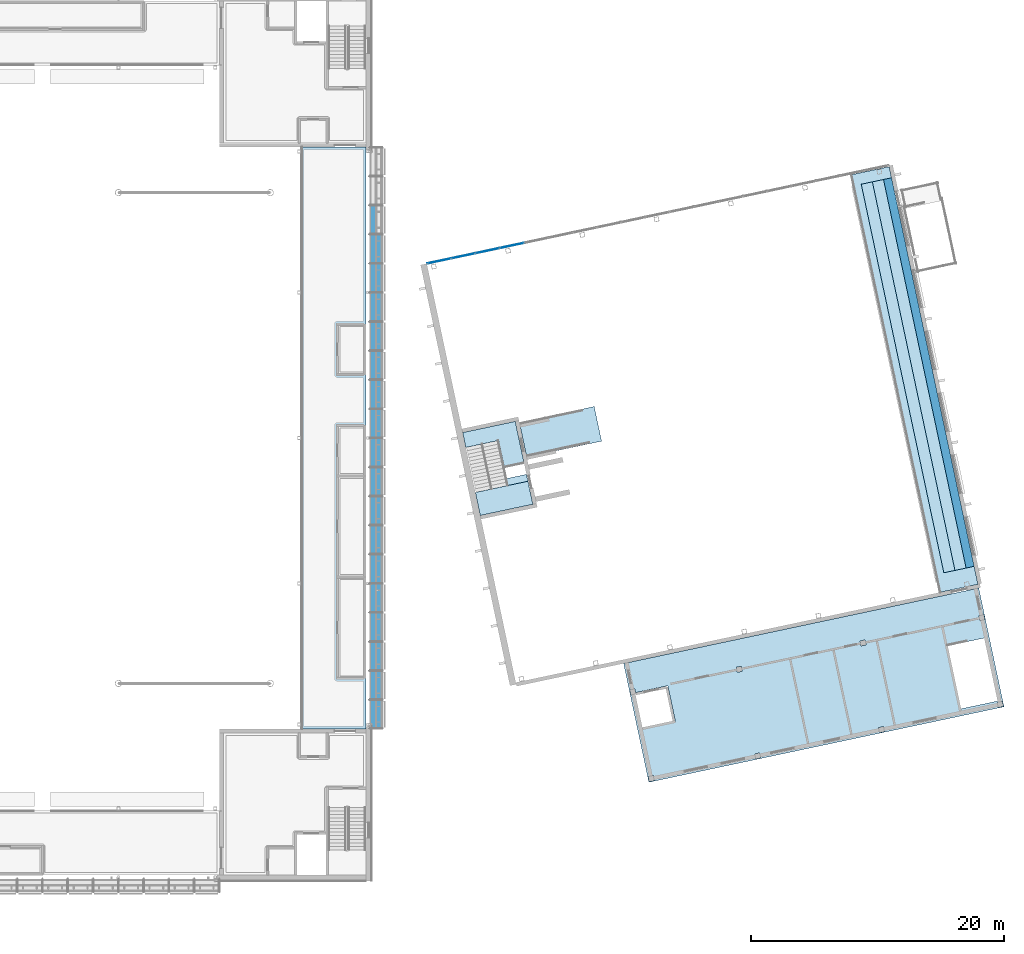
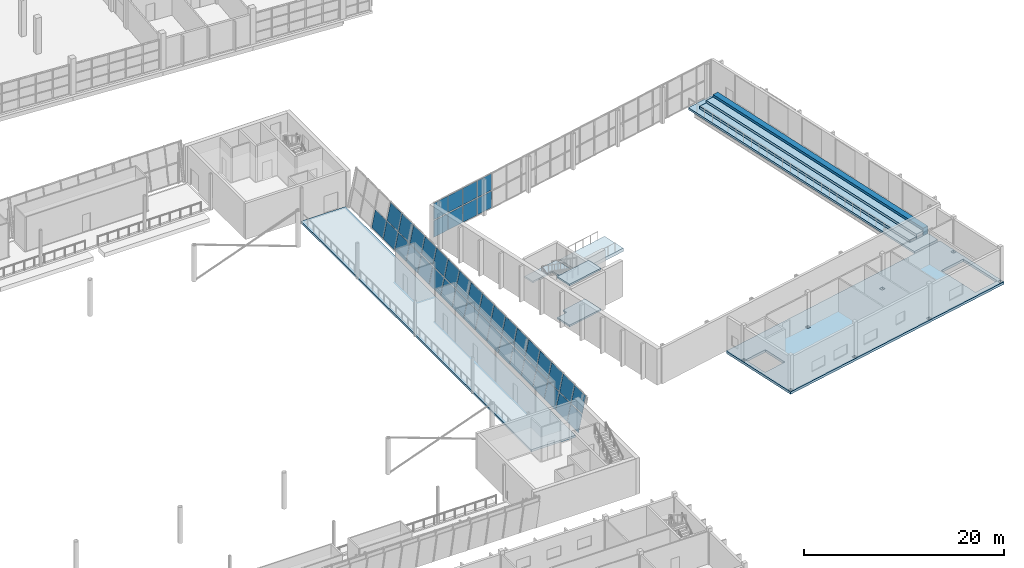
# One storey, part 55 of 115: 43 plates, 10 slabs, 4 elements without a shape of their own.
"""IFC4 building model written with IfcOpenShell, lengths in metres."""

from ifc_helpers import new_model, si_unit, direction, frame, origin, origin_2d, place, context, subcontext, project, spatial, polyline, rectangle, outline, extrude, material, layer, layer_set, type_object, element, aggregate, save


model = new_model("IFC4")

# Units and contexts
model_context = context("Model", 3, precision=1e-05, world=origin(), true_north=direction((0.0, 1.0)))
body_context = subcontext(model_context, "Body", "Model", "MODEL_VIEW")
ifc_project = project(units=[si_unit("LENGTHUNIT", "METRE"), si_unit("AREAUNIT", "SQUARE_METRE"), si_unit("VOLUMEUNIT", "CUBIC_METRE"), si_unit("PLANEANGLEUNIT", "RADIAN"), si_unit("MASSUNIT", "GRAM", prefix="KILO")], contexts=[model_context])

# Site, building, storey
site_placement = place(None, origin())
site = spatial("IfcSite", under=ifc_project, at=site_placement, CompositionType="ELEMENT")
building_placement = place(site_placement, origin())
building = spatial("IfcBuilding", under=site, at=building_placement, Name="Windward Yard Aquatics Centre", CompositionType="ELEMENT")
storey_placement = place(building_placement, frame((0.0, 0.0, 5.0)))
storey = spatial("IfcBuildingStorey", under=building, at=storey_placement, Name="L01", CompositionType="ELEMENT", Elevation=5.0)

# Curtain wall, plates
ifc_material_1 = material(Name="Aluminium and glass", Category="aluminium")
ifc_layer_1 = layer(ifc_material_1, 0.159912109375)
ifc_layer_set_1 = layer_set([ifc_layer_1], Name="D curtain wall 160")
curtain_wall_type_1 = type_object("IfcCurtainWallType", Name="D curtain wall 160", PredefinedType="NOTDEFINED", material=ifc_layer_set_1)
curtain_wall_1_placement = place(storey_placement, origin())
curtain_wall_1 = element("IfcCurtainWall", 1, at=curtain_wall_1_placement, inside=storey, type_object=curtain_wall_type_1, Name="North glazing L01", PredefinedType="NOTDEFINED")
ifc_material_2 = material(Name="Laminated low-iron glass", Category="glass")
ifc_layer_2 = layer(ifc_material_2, 0.028076171875)
ifc_layer_set_2 = layer_set([ifc_layer_2], Name="D curtain wall glass panel 28")
plate_type_1 = type_object("IfcPlateType", Name="D curtain wall glass panel 28", PredefinedType="CURTAIN_PANEL", material=ifc_layer_set_2)
plate_1_placement = place(storey_placement, frame((157.345947265625, 74.989501953125, 0.119873046875), z_axis=(0.0, 0.0, 1.0), x_axis=(0.978147594815, 0.207911718662, 0.0)))
plate_1 = element("IfcPlate", 2, at=plate_1_placement, type_object=plate_type_1, Name="DCW-L01 panel 1.1", PredefinedType="CURTAIN_PANEL", context=body_context, shape_type="SweptSolid", body=[
    extrude(rectangle(XDim=1.875732421875, YDim=0.028076171875, at=origin_2d()), origin(), (0.0, 0.0, 1.0), 2.02001953125),
])
plate_2_placement = place(storey_placement, frame((157.345947265625, 74.989501953125, 2.260009765625), z_axis=(0.0, 0.0, 1.0), x_axis=(0.978147594815, 0.207911718662, 0.0)))
plate_2 = element("IfcPlate", 3, at=plate_2_placement, type_object=plate_type_1, Name="DCW-L01 panel 1.2", PredefinedType="CURTAIN_PANEL", context=body_context, shape_type="SweptSolid", body=[
    extrude(rectangle(XDim=1.875732421875, YDim=0.028076171875, at=origin_2d()), origin(), (0.0, 0.0, 1.0), 2.02001953125),
])
plate_3_placement = place(storey_placement, frame((159.254150390625, 75.395263671875, 0.119873046875), z_axis=(0.0, 0.0, 1.0), x_axis=(0.978147594815, 0.207911718662, 0.0)))
plate_3 = element("IfcPlate", 4, at=plate_3_placement, type_object=plate_type_1, Name="DCW-L01 panel 2.1", PredefinedType="CURTAIN_PANEL", context=body_context, shape_type="SweptSolid", body=[
    extrude(rectangle(XDim=1.90576171875, YDim=0.028076171875, at=origin_2d()), origin(), (0.0, 0.0, 1.0), 2.02001953125),
])
plate_4_placement = place(storey_placement, frame((159.254150390625, 75.395263671875, 2.260009765625), z_axis=(0.0, 0.0, 1.0), x_axis=(0.978147594815, 0.207911718662, 0.0)))
plate_4 = element("IfcPlate", 5, at=plate_4_placement, type_object=plate_type_1, Name="DCW-L01 panel 2.2", PredefinedType="CURTAIN_PANEL", context=body_context, shape_type="SweptSolid", body=[
    extrude(rectangle(XDim=1.90576171875, YDim=0.028076171875, at=origin_2d()), origin(), (0.0, 0.0, 1.0), 2.02001953125),
])
plate_5_placement = place(storey_placement, frame((161.1767578125, 75.803955078125, 0.119873046875), z_axis=(0.0, 0.0, 1.0), x_axis=(0.978147594815, 0.207911718662, 0.0)))
plate_5 = element("IfcPlate", 6, at=plate_5_placement, type_object=plate_type_1, Name="DCW-L01 panel 3.1", PredefinedType="CURTAIN_PANEL", context=body_context, shape_type="SweptSolid", body=[
    extrude(rectangle(XDim=1.90576171875, YDim=0.028076171875, at=origin_2d()), origin(), (0.0, 0.0, 1.0), 2.02001953125),
])
plate_6_placement = place(storey_placement, frame((161.1767578125, 75.803955078125, 2.260009765625), z_axis=(0.0, 0.0, 1.0), x_axis=(0.978147594815, 0.207911718662, 0.0)))
plate_6 = element("IfcPlate", 7, at=plate_6_placement, type_object=plate_type_1, Name="DCW-L01 panel 3.2", PredefinedType="CURTAIN_PANEL", context=body_context, shape_type="SweptSolid", body=[
    extrude(rectangle(XDim=1.90576171875, YDim=0.028076171875, at=origin_2d()), origin(), (0.0, 0.0, 1.0), 2.02001953125),
])
plate_7_placement = place(storey_placement, frame((163.099609375, 76.212646484375, 0.119873046875), z_axis=(0.0, 0.0, 1.0), x_axis=(0.978147594815, 0.207911718662, 0.0)))
plate_7 = element("IfcPlate", 8, at=plate_7_placement, type_object=plate_type_1, Name="DCW-L01 panel 4.1", PredefinedType="CURTAIN_PANEL", context=body_context, shape_type="SweptSolid", body=[
    extrude(rectangle(XDim=1.90576171875, YDim=0.028076171875, at=origin_2d()), origin(), (0.0, 0.0, 1.0), 2.02001953125),
])
plate_8_placement = place(storey_placement, frame((163.099609375, 76.212646484375, 2.260009765625), z_axis=(0.0, 0.0, 1.0), x_axis=(0.978147594815, 0.207911718662, 0.0)))
plate_8 = element("IfcPlate", 9, at=plate_8_placement, type_object=plate_type_1, Name="DCW-L01 panel 4.2", PredefinedType="CURTAIN_PANEL", context=body_context, shape_type="SweptSolid", body=[
    extrude(rectangle(XDim=1.90576171875, YDim=0.028076171875, at=origin_2d()), origin(), (0.0, 0.0, 1.0), 2.02001953125),
])
aggregate(curtain_wall_1, [plate_1, plate_2, plate_3, plate_4, plate_5, plate_6, plate_7, plate_8])

# Slabs
ifc_material_3 = material(Name="Concrete C35/45", Category="concrete")
ifc_layer_3 = layer(ifc_material_3, 0.39990234375)
ifc_layer_set_3 = layer_set([ifc_layer_3], Name="D diving platform slab 400")
slab_type_1 = type_object("IfcSlabType", Name="D diving platform slab 400", PredefinedType="FLOOR", material=ifc_layer_set_3)
slab_1_placement = place(storey_placement, frame((0.0, 0.0, 2.10009765625)))
element("IfcSlab", 10, at=slab_1_placement, inside=storey, type_object=slab_type_1, Name="D.S.PF3", PredefinedType="FLOOR", context=body_context, shape_type="SweptSolid", body=[
    extrude(outline(polyline([(163.689453125, 62.229736328125), (164.271728515625, 59.490966796875), (170.189453125, 60.748779296875), (169.607421875, 63.487548828125), (163.689453125, 62.229736328125)])), origin(), (0.0, 0.0, 1.0), 0.39990234375),
])
ifc_layer_4 = layer(ifc_material_3, 0.300048828125)
ifc_layer_set_4 = layer_set([ifc_layer_4], Name="D floor slab 300")
slab_type_2 = type_object("IfcSlabType", Name="D floor slab 300", PredefinedType="FLOOR", material=ifc_layer_set_4)
slab_2_placement = place(storey_placement, frame((0.0, 0.0, -0.300048828125)))
element("IfcSlab", 11, at=slab_2_placement, inside=storey, type_object=slab_type_2, Name="D.S.L01", PredefinedType="FLOOR", context=body_context, shape_type="SweptSolid", body=[
    extrude(outline(polyline([(171.930908203125, 43.1767578125), (173.927001953125, 33.78662109375), (201.999755859375, 39.753662109375), (200.00390625, 49.143798828125), (171.930908203125, 43.1767578125)]), holes=[polyline([(173.882080078125, 34.2373046875), (174.2734375, 34.3203125), (174.356689453125, 33.92919921875), (173.96533203125, 33.845947265625), (173.882080078125, 34.2373046875)]), polyline([(182.294189453125, 36.025146484375), (182.685546875, 36.1083984375), (182.768798828125, 35.717041015625), (182.37744140625, 35.634033203125), (182.294189453125, 36.025146484375)]), polyline([(192.07568359375, 38.104248046875), (192.467041015625, 38.1875), (192.55029296875, 37.796142578125), (192.158935546875, 37.713134765625), (192.07568359375, 38.104248046875)]), polyline([(201.466064453125, 40.100341796875), (201.857421875, 40.18359375), (201.9404296875, 39.792236328125), (201.54931640625, 39.708984375), (201.466064453125, 40.100341796875)]), polyline([(197.55029296875, 44.573974609375), (200.435791015625, 45.187255859375), (201.494140625, 40.20849609375), (198.6083984375, 39.59521484375), (197.55029296875, 44.573974609375)]), polyline([(172.4267578125, 41.084228515625), (172.818115234375, 41.16748046875), (172.880615234375, 40.873779296875), (175.423583984375, 41.41455078125), (176.026611328125, 38.577880859375), (173.4345703125, 38.02685546875), (172.852294921875, 40.765625), (172.510009765625, 40.693115234375), (172.4267578125, 41.084228515625)]), polyline([(180.8388671875, 42.872314453125), (181.230224609375, 42.955322265625), (181.313232421875, 42.564208984375), (180.922119140625, 42.48095703125), (180.8388671875, 42.872314453125)]), polyline([(190.620361328125, 44.951416015625), (191.01171875, 45.034423828125), (191.0947265625, 44.643310546875), (190.70361328125, 44.56005859375), (190.620361328125, 44.951416015625)]), polyline([(200.010498046875, 46.947265625), (200.40185546875, 47.030517578125), (200.485107421875, 46.63916015625), (200.09375, 46.55615234375), (200.010498046875, 46.947265625)])]), origin(), (0.0, 0.0, 1.0), 0.300048828125),
])
ifc_layer_5 = layer(ifc_material_3, 0.25)
ifc_layer_set_5 = layer_set([ifc_layer_5], Name="D gallery slab 250")
slab_type_3 = type_object("IfcSlabType", Name="D gallery slab 250", PredefinedType="FLOOR", material=ifc_layer_set_5)
slab_3_placement = place(storey_placement, frame((0.0, 0.0, -0.25)))
element("IfcSlab", 12, at=slab_3_placement, inside=storey, type_object=slab_type_3, Name="D.S.GAL", PredefinedType="FLOOR", context=body_context, shape_type="SweptSolid", body=[
    extrude(outline(polyline([(189.84326171875, 81.794921875), (196.860107421875, 48.782470703125), (199.94140625, 49.437255859375), (192.92431640625, 82.44970703125), (189.84326171875, 81.794921875)])), origin(), (0.0, 0.0, 1.0), 0.25),
])
ifc_layer_6 = layer(ifc_material_3, 0.300048828125)
ifc_layer_set_6 = layer_set([ifc_layer_6], Name="D seating tier 300")
slab_type_4 = type_object("IfcSlabType", Name="D seating tier 300", PredefinedType="USERDEFINED", material=ifc_layer_set_6)
slab_4_placement = place(storey_placement, origin())
element("IfcSlab", 13, at=slab_4_placement, inside=storey, type_object=slab_type_4, Name="Gallery seating tier 1", ObjectType="SEATING TIER", PredefinedType="USERDEFINED", context=body_context, shape_type="SweptSolid", body=[
    extrude(outline(polyline([(190.715087890625, 81.06005859375), (197.243408203125, 50.34619140625), (198.123779296875, 50.533447265625), (191.595458984375, 81.247314453125), (190.715087890625, 81.06005859375)])), origin(), (0.0, 0.0, 1.0), 0.300048828125),
])
ifc_layer_7 = layer(ifc_material_3, 0.60009765625)
ifc_layer_set_7 = layer_set([ifc_layer_7], Name="D seating tier 600")
slab_type_5 = type_object("IfcSlabType", Name="D seating tier 600", PredefinedType="USERDEFINED", material=ifc_layer_set_7)
slab_5_placement = place(storey_placement, origin())
element("IfcSlab", 14, at=slab_5_placement, inside=storey, type_object=slab_type_5, Name="Gallery seating tier 2", ObjectType="SEATING TIER", PredefinedType="USERDEFINED", context=body_context, shape_type="SweptSolid", body=[
    extrude(outline(polyline([(191.595458984375, 81.247314453125), (198.123779296875, 50.533447265625), (199.004150390625, 50.720458984375), (192.4755859375, 81.434326171875), (191.595458984375, 81.247314453125)])), origin(), (0.0, 0.0, 1.0), 0.60009765625),
])
ifc_layer_8 = layer(ifc_material_3, 0.89990234375)
ifc_layer_set_8 = layer_set([ifc_layer_8], Name="D seating tier 900")
slab_type_6 = type_object("IfcSlabType", Name="D seating tier 900", PredefinedType="USERDEFINED", material=ifc_layer_set_8)
slab_6_placement = place(storey_placement, origin())
element("IfcSlab", 15, at=slab_6_placement, inside=storey, type_object=slab_type_6, Name="Gallery seating tier 3", ObjectType="SEATING TIER", PredefinedType="USERDEFINED", context=body_context, shape_type="SweptSolid", body=[
    extrude(outline(polyline([(192.4755859375, 81.434326171875), (199.004150390625, 50.720458984375), (199.639892578125, 50.855712890625), (193.111572265625, 81.569580078125), (192.4755859375, 81.434326171875)])), origin(), (0.0, 0.0, 1.0), 0.89990234375),
])

# Stair, slab
ifc_material_4 = material(Name="Stainless steel 1.4529", Category="steel")
stair_type = type_object("IfcStairType", Name="D tower stair pan", PredefinedType="STRAIGHT_RUN_STAIR", material=ifc_material_4)
stair_1_placement = place(storey_placement, origin())
stair_1 = element("IfcStair", 16, at=stair_1_placement, inside=storey, type_object=stair_type, Name="Tower stair flight 3", PredefinedType="STRAIGHT_RUN_STAIR")
ifc_layer_9 = layer(ifc_material_3, 0.199951171875)
ifc_layer_set_9 = layer_set([ifc_layer_9], Name="D tower stair landing 200")
slab_type_7 = type_object("IfcSlabType", Name="D tower stair landing 200", PredefinedType="LANDING", material=ifc_layer_set_9)
placement = place(building_placement, origin())
slab_7_placement = place(placement, frame((0.0, 0.0, 4.800048828125)))
slab_7 = element("IfcSlab", 17, at=slab_7_placement, type_object=slab_type_7, Name="DTS landing 1", PredefinedType="LANDING", context=body_context, shape_type="SweptSolid", body=[
    extrude(outline(polyline([(160.214111328125, 56.6962890625), (160.600830078125, 54.876708984375), (164.7578125, 55.760498046875), (164.25439453125, 58.12939453125), (161.368896484375, 57.51611328125), (161.485595703125, 56.966552734375), (160.214111328125, 56.6962890625)])), origin(), (0.0, 0.0, 1.0), 0.199951171875),
])
aggregate(stair_1, [slab_7])

stair_2_placement = place(storey_placement, origin())
stair_2 = element("IfcStair", 18, at=stair_2_placement, inside=storey, type_object=stair_type, Name="Tower stair flight 4", PredefinedType="STRAIGHT_RUN_STAIR")
slab_8_placement = place(storey_placement, frame((0.0, 0.0, 2.300048828125)))
slab_8 = element("IfcSlab", 19, at=slab_8_placement, type_object=slab_type_7, Name="DTS landing 1", PredefinedType="LANDING", context=body_context, shape_type="SweptSolid", body=[
    extrude(outline(polyline([(159.207763671875, 61.430419921875), (159.457763671875, 60.254638671875), (162.0498046875, 60.8056640625), (162.496337890625, 58.70458984375), (164.061279296875, 59.037353515625), (163.364990234375, 62.314208984375), (159.207763671875, 61.430419921875)])), origin(), (0.0, 0.0, 1.0), 0.199951171875),
])
aggregate(stair_2, [slab_8])

# Slabs
slab_9_placement = place(storey_placement, frame((0.0, 0.0, 4.800048828125)))
element("IfcSlab", 20, at=slab_9_placement, inside=storey, type_object=slab_type_7, Name="Tower stair top landing", PredefinedType="LANDING", context=body_context, shape_type="SweptSolid", body=[
    extrude(outline(polyline([(160.213623046875, 56.6982421875), (160.600830078125, 54.876708984375), (164.7578125, 55.760498046875), (164.370849609375, 57.581787109375), (160.213623046875, 56.6982421875)])), origin(), (0.0, 0.0, 1.0), 0.199951171875),
])
ifc_layer_10 = layer(ifc_material_3, 0.25)
ifc_layer_set_10 = layer_set([ifc_layer_10], Name="H concourse slab 250 C35/45")
slab_type_8 = type_object("IfcSlabType", Name="H concourse slab 250 C35/45", PredefinedType="FLOOR", material=ifc_layer_set_10)
slab_10_placement = place(storey_placement, frame((0.0, 0.0, -0.25)))
element("IfcSlab", 21, at=slab_10_placement, inside=storey, type_object=slab_type_8, Name="H.CS.E", PredefinedType="FLOOR", context=body_context, shape_type="SweptSolid", body=[
    extrude(outline(polyline([(146.4404296875, 38.0), (151.550048828125, 38.0), (151.550048828125, 84.0), (146.4404296875, 84.0), (146.4404296875, 38.0)])), origin(), (0.0, 0.0, 1.0), 0.25),
])

# Curtain wall, plates
ifc_material_5 = material(Name="Glass and aluminium curtain wall", Category="aluminium")
ifc_layer_11 = layer(ifc_material_5, 0.179931640625)
ifc_layer_set_11 = layer_set([ifc_layer_11], Name="H curtain wall tier 1 double glazed 8+16+8")
curtain_wall_type_2 = type_object("IfcCurtainWallType", Name="H curtain wall tier 1 double glazed 8+16+8", PredefinedType="NOTDEFINED", material=ifc_layer_set_11)
curtain_wall_2_placement = place(storey_placement, origin())
curtain_wall_2 = element("IfcCurtainWall", 22, at=curtain_wall_2_placement, inside=storey, type_object=curtain_wall_type_2, Name="Tier 1 glazing E L01", PredefinedType="NOTDEFINED")
ifc_material_6 = material(Name="Low-iron glass", Category="glass")
ifc_layer_12 = layer(ifc_material_6, 0.008, Name="Outer pane")
ifc_material_7 = material(Name="Argon-filled cavity")
ifc_layer_13 = layer(ifc_material_7, 0.016, Name="Cavity")
ifc_layer_14 = layer(ifc_material_6, 0.008, Name="Inner pane")
ifc_layer_set_12 = layer_set([ifc_layer_12, ifc_layer_13, ifc_layer_14], Name="H tier 1 glass low-e double glazed unit 32")
plate_type_2 = type_object("IfcPlateType", Name="H tier 1 glass low-e double glazed unit 32", PredefinedType="CURTAIN_PANEL", material=ifc_layer_set_12)
plate_9_placement = place(storey_placement, frame((151.913818359375, 38.06494140625, 0.107666015625), z_axis=(-0.979937049238, 0.0, 0.19930724907), x_axis=(0.0, 1.0, 0.0)))
plate_9 = element("IfcPlate", 23, at=plate_9_placement, type_object=plate_type_2, Name="G1EA panel 1.1", PredefinedType="CURTAIN_PANEL", context=body_context, shape_type="SweptSolid", body=[
    extrude(outline(polyline([(0.0, 0.0), (2.202637, 0.0), (2.202637, -2.088533), (0.0, -2.088533), (0.0, 0.0)])), origin(), (0.0, 0.0, -1.0), 0.031982421875),
])
plate_10_placement = place(storey_placement, frame((152.35009765625, 38.06494140625, 2.252197265625), z_axis=(-0.979920842931, 0.0, 0.199386914289), x_axis=(0.0, 1.0, 0.0)))
plate_10 = element("IfcPlate", 24, at=plate_10_placement, type_object=plate_type_2, Name="G1EA panel 1.2", PredefinedType="CURTAIN_PANEL", context=body_context, shape_type="SweptSolid", body=[
    extrude(outline(polyline([(0.0, 0.0), (2.202637, 0.0), (2.202637, -2.095045), (0.0, -2.095045), (0.0, 0.0)])), origin(), (0.0, 0.0, -1.0), 0.031982421875),
])
plate_11_placement = place(storey_placement, frame((151.913818359375, 40.33251953125, 0.107666015625), z_axis=(-0.979937049238, 0.0, 0.19930724907), x_axis=(0.0, 1.0, 0.0)))
plate_11 = element("IfcPlate", 25, at=plate_11_placement, type_object=plate_type_2, Name="G1EA panel 2.1", PredefinedType="CURTAIN_PANEL", context=body_context, shape_type="SweptSolid", body=[
    extrude(outline(polyline([(0.0, 0.0), (2.234863, 0.0), (2.234863, -2.088533), (0.0, -2.088533), (0.0, 0.0)])), origin(), (0.0, 0.0, -1.0), 0.031982421875),
])
plate_12_placement = place(storey_placement, frame((152.35009765625, 40.33251953125, 2.252197265625), z_axis=(-0.979920842931, 0.0, 0.199386914289), x_axis=(0.0, 1.0, 0.0)))
plate_12 = element("IfcPlate", 26, at=plate_12_placement, type_object=plate_type_2, Name="G1EA panel 2.2", PredefinedType="CURTAIN_PANEL", context=body_context, shape_type="SweptSolid", body=[
    extrude(outline(polyline([(0.0, 0.0), (2.234863, 0.0), (2.234863, -2.095045), (0.0, -2.095045), (0.0, 0.0)])), origin(), (0.0, 0.0, -1.0), 0.031982421875),
])
plate_13_placement = place(storey_placement, frame((151.913818359375, 42.632568359375, 0.107666015625), z_axis=(-0.979937049238, 0.0, 0.19930724907), x_axis=(0.0, 1.0, 0.0)))
plate_13 = element("IfcPlate", 27, at=plate_13_placement, type_object=plate_type_2, Name="G1EA panel 3.1", PredefinedType="CURTAIN_PANEL", context=body_context, shape_type="SweptSolid", body=[
    extrude(outline(polyline([(0.0, 0.0), (2.234863, 0.0), (2.234863, -2.088533), (0.0, -2.088533), (0.0, 0.0)])), origin(), (0.0, 0.0, -1.0), 0.031982421875),
])
plate_14_placement = place(storey_placement, frame((152.35009765625, 42.632568359375, 2.252197265625), z_axis=(-0.979920842931, 0.0, 0.199386914289), x_axis=(0.0, 1.0, 0.0)))
plate_14 = element("IfcPlate", 28, at=plate_14_placement, type_object=plate_type_2, Name="G1EA panel 3.2", PredefinedType="CURTAIN_PANEL", context=body_context, shape_type="SweptSolid", body=[
    extrude(outline(polyline([(0.0, 0.0), (2.234863, 0.0), (2.234863, -2.095045), (0.0, -2.095045), (0.0, 0.0)])), origin(), (0.0, 0.0, -1.0), 0.031982421875),
])
plate_15_placement = place(storey_placement, frame((151.913818359375, 44.9326171875, 0.107666015625), z_axis=(-0.979937049238, 0.0, 0.19930724907), x_axis=(0.0, 1.0, 0.0)))
plate_15 = element("IfcPlate", 29, at=plate_15_placement, type_object=plate_type_2, Name="G1EA panel 4.1", PredefinedType="CURTAIN_PANEL", context=body_context, shape_type="SweptSolid", body=[
    extrude(outline(polyline([(0.0, 0.0), (2.234863, 0.0), (2.234863, -2.088533), (0.0, -2.088533), (0.0, 0.0)])), origin(), (0.0, 0.0, -1.0), 0.031982421875),
])
plate_16_placement = place(storey_placement, frame((152.35009765625, 44.9326171875, 2.252197265625), z_axis=(-0.979920842931, 0.0, 0.199386914289), x_axis=(0.0, 1.0, 0.0)))
plate_16 = element("IfcPlate", 30, at=plate_16_placement, type_object=plate_type_2, Name="G1EA panel 4.2", PredefinedType="CURTAIN_PANEL", context=body_context, shape_type="SweptSolid", body=[
    extrude(outline(polyline([(0.0, 0.0), (2.234863, 0.0), (2.234863, -2.095045), (0.0, -2.095045), (0.0, 0.0)])), origin(), (0.0, 0.0, -1.0), 0.031982421875),
])
plate_17_placement = place(storey_placement, frame((151.913818359375, 47.232421875, 0.107666015625), z_axis=(-0.979937049238, 0.0, 0.19930724907), x_axis=(0.0, 1.0, 0.0)))
plate_17 = element("IfcPlate", 31, at=plate_17_placement, type_object=plate_type_2, Name="G1EA panel 5.1", PredefinedType="CURTAIN_PANEL", context=body_context, shape_type="SweptSolid", body=[
    extrude(outline(polyline([(0.0, 0.0), (2.235107, 0.0), (2.235107, -2.088533), (0.0, -2.088533), (0.0, 0.0)])), origin(), (0.0, 0.0, -1.0), 0.031982421875),
])
plate_18_placement = place(storey_placement, frame((152.35009765625, 47.232421875, 2.252197265625), z_axis=(-0.979920842931, 0.0, 0.199386914289), x_axis=(0.0, 1.0, 0.0)))
plate_18 = element("IfcPlate", 32, at=plate_18_placement, type_object=plate_type_2, Name="G1EA panel 5.2", PredefinedType="CURTAIN_PANEL", context=body_context, shape_type="SweptSolid", body=[
    extrude(outline(polyline([(0.0, 0.0), (2.235107, 0.0), (2.235107, -2.095045), (0.0, -2.095045), (0.0, 0.0)])), origin(), (0.0, 0.0, -1.0), 0.031982421875),
])
plate_19_placement = place(storey_placement, frame((151.913818359375, 49.532470703125, 0.107666015625), z_axis=(-0.979937049238, 0.0, 0.19930724907), x_axis=(0.0, 1.0, 0.0)))
plate_19 = element("IfcPlate", 33, at=plate_19_placement, type_object=plate_type_2, Name="G1EA panel 6.1", PredefinedType="CURTAIN_PANEL", context=body_context, shape_type="SweptSolid", body=[
    extrude(outline(polyline([(0.0, 0.0), (2.235107, 0.0), (2.235107, -2.088533), (0.0, -2.088533), (0.0, 0.0)])), origin(), (0.0, 0.0, -1.0), 0.031982421875),
])
plate_20_placement = place(storey_placement, frame((152.35009765625, 49.532470703125, 2.252197265625), z_axis=(-0.979920842931, 0.0, 0.199386914289), x_axis=(0.0, 1.0, 0.0)))
plate_20 = element("IfcPlate", 34, at=plate_20_placement, type_object=plate_type_2, Name="G1EA panel 6.2", PredefinedType="CURTAIN_PANEL", context=body_context, shape_type="SweptSolid", body=[
    extrude(outline(polyline([(0.0, 0.0), (2.235107, 0.0), (2.235107, -2.095045), (0.0, -2.095045), (0.0, 0.0)])), origin(), (0.0, 0.0, -1.0), 0.031982421875),
])
plate_21_placement = place(storey_placement, frame((151.913818359375, 51.83251953125, 0.107666015625), z_axis=(-0.979937049238, 0.0, 0.19930724907), x_axis=(0.0, 1.0, 0.0)))
plate_21 = element("IfcPlate", 35, at=plate_21_placement, type_object=plate_type_2, Name="G1EA panel 7.1", PredefinedType="CURTAIN_PANEL", context=body_context, shape_type="SweptSolid", body=[
    extrude(outline(polyline([(0.0, 0.0), (2.234863, 0.0), (2.234863, -2.088533), (0.0, -2.088533), (0.0, 0.0)])), origin(), (0.0, 0.0, -1.0), 0.031982421875),
])
plate_22_placement = place(storey_placement, frame((152.35009765625, 51.83251953125, 2.252197265625), z_axis=(-0.979920842931, 0.0, 0.199386914289), x_axis=(0.0, 1.0, 0.0)))
plate_22 = element("IfcPlate", 36, at=plate_22_placement, type_object=plate_type_2, Name="G1EA panel 7.2", PredefinedType="CURTAIN_PANEL", context=body_context, shape_type="SweptSolid", body=[
    extrude(outline(polyline([(0.0, 0.0), (2.234863, 0.0), (2.234863, -2.095045), (0.0, -2.095045), (0.0, 0.0)])), origin(), (0.0, 0.0, -1.0), 0.031982421875),
])
plate_23_placement = place(storey_placement, frame((151.913818359375, 54.132568359375, 0.107666015625), z_axis=(-0.979937049238, 0.0, 0.19930724907), x_axis=(0.0, 1.0, 0.0)))
plate_23 = element("IfcPlate", 37, at=plate_23_placement, type_object=plate_type_2, Name="G1EA panel 8.1", PredefinedType="CURTAIN_PANEL", context=body_context, shape_type="SweptSolid", body=[
    extrude(outline(polyline([(0.0, 0.0), (2.234863, 0.0), (2.234863, -2.088533), (0.0, -2.088533), (0.0, 0.0)])), origin(), (0.0, 0.0, -1.0), 0.031982421875),
])
plate_24_placement = place(storey_placement, frame((152.35009765625, 54.132568359375, 2.252197265625), z_axis=(-0.979920842931, 0.0, 0.199386914289), x_axis=(0.0, 1.0, 0.0)))
plate_24 = element("IfcPlate", 38, at=plate_24_placement, type_object=plate_type_2, Name="G1EA panel 8.2", PredefinedType="CURTAIN_PANEL", context=body_context, shape_type="SweptSolid", body=[
    extrude(outline(polyline([(0.0, 0.0), (2.234863, 0.0), (2.234863, -2.095045), (0.0, -2.095045), (0.0, 0.0)])), origin(), (0.0, 0.0, -1.0), 0.031982421875),
])
plate_25_placement = place(storey_placement, frame((151.913818359375, 56.4326171875, 0.107666015625), z_axis=(-0.979937049238, 0.0, 0.19930724907), x_axis=(0.0, 1.0, 0.0)))
plate_25 = element("IfcPlate", 39, at=plate_25_placement, type_object=plate_type_2, Name="G1EA panel 9.1", PredefinedType="CURTAIN_PANEL", context=body_context, shape_type="SweptSolid", body=[
    extrude(outline(polyline([(0.0, 0.0), (2.234863, 0.0), (2.234863, -2.088533), (0.0, -2.088533), (0.0, 0.0)])), origin(), (0.0, 0.0, -1.0), 0.031982421875),
])
plate_26_placement = place(storey_placement, frame((152.35009765625, 56.4326171875, 2.252197265625), z_axis=(-0.979920842931, 0.0, 0.199386914289), x_axis=(0.0, 1.0, 0.0)))
plate_26 = element("IfcPlate", 40, at=plate_26_placement, type_object=plate_type_2, Name="G1EA panel 9.2", PredefinedType="CURTAIN_PANEL", context=body_context, shape_type="SweptSolid", body=[
    extrude(outline(polyline([(0.0, 0.0), (2.234863, 0.0), (2.234863, -2.095045), (0.0, -2.095045), (0.0, 0.0)])), origin(), (0.0, 0.0, -1.0), 0.031982421875),
])
plate_27_placement = place(storey_placement, frame((151.913818359375, 58.732421875, 0.107666015625), z_axis=(-0.979937049238, 0.0, 0.19930724907), x_axis=(0.0, 1.0, 0.0)))
plate_27 = element("IfcPlate", 41, at=plate_27_placement, type_object=plate_type_2, Name="G1EA panel 10.1", PredefinedType="CURTAIN_PANEL", context=body_context, shape_type="SweptSolid", body=[
    extrude(outline(polyline([(0.0, 0.0), (2.235107, 0.0), (2.235107, -2.088533), (0.0, -2.088533), (0.0, 0.0)])), origin(), (0.0, 0.0, -1.0), 0.031982421875),
])
plate_28_placement = place(storey_placement, frame((152.35009765625, 58.732421875, 2.252197265625), z_axis=(-0.979920842931, 0.0, 0.199386914289), x_axis=(0.0, 1.0, 0.0)))
plate_28 = element("IfcPlate", 42, at=plate_28_placement, type_object=plate_type_2, Name="G1EA panel 10.2", PredefinedType="CURTAIN_PANEL", context=body_context, shape_type="SweptSolid", body=[
    extrude(outline(polyline([(0.0, 0.0), (2.235107, 0.0), (2.235107, -2.095045), (0.0, -2.095045), (0.0, 0.0)])), origin(), (0.0, 0.0, -1.0), 0.031982421875),
])
plate_29_placement = place(storey_placement, frame((151.913818359375, 61.032470703125, 0.107666015625), z_axis=(-0.979937049238, 0.0, 0.19930724907), x_axis=(0.0, 1.0, 0.0)))
plate_29 = element("IfcPlate", 43, at=plate_29_placement, type_object=plate_type_2, Name="G1EA panel 11.1", PredefinedType="CURTAIN_PANEL", context=body_context, shape_type="SweptSolid", body=[
    extrude(outline(polyline([(0.0, 0.0), (2.235107, 0.0), (2.235107, -2.088533), (0.0, -2.088533), (0.0, 0.0)])), origin(), (0.0, 0.0, -1.0), 0.031982421875),
])
plate_30_placement = place(storey_placement, frame((152.35009765625, 61.032470703125, 2.252197265625), z_axis=(-0.979920842931, 0.0, 0.199386914289), x_axis=(0.0, 1.0, 0.0)))
plate_30 = element("IfcPlate", 44, at=plate_30_placement, type_object=plate_type_2, Name="G1EA panel 11.2", PredefinedType="CURTAIN_PANEL", context=body_context, shape_type="SweptSolid", body=[
    extrude(outline(polyline([(0.0, 0.0), (2.235107, 0.0), (2.235107, -2.095045), (0.0, -2.095045), (0.0, 0.0)])), origin(), (0.0, 0.0, -1.0), 0.031982421875),
])
plate_31_placement = place(storey_placement, frame((151.913818359375, 63.33251953125, 0.107666015625), z_axis=(-0.979937049238, 0.0, 0.19930724907), x_axis=(0.0, 1.0, 0.0)))
plate_31 = element("IfcPlate", 45, at=plate_31_placement, type_object=plate_type_2, Name="G1EA panel 12.1", PredefinedType="CURTAIN_PANEL", context=body_context, shape_type="SweptSolid", body=[
    extrude(outline(polyline([(0.0, 0.0), (2.234863, 0.0), (2.234863, -2.088533), (0.0, -2.088533), (0.0, 0.0)])), origin(), (0.0, 0.0, -1.0), 0.031982421875),
])
plate_32_placement = place(storey_placement, frame((152.35009765625, 63.33251953125, 2.252197265625), z_axis=(-0.979920842931, 0.0, 0.199386914289), x_axis=(0.0, 1.0, 0.0)))
plate_32 = element("IfcPlate", 46, at=plate_32_placement, type_object=plate_type_2, Name="G1EA panel 12.2", PredefinedType="CURTAIN_PANEL", context=body_context, shape_type="SweptSolid", body=[
    extrude(outline(polyline([(0.0, 0.0), (2.234863, 0.0), (2.234863, -2.095045), (0.0, -2.095045), (0.0, 0.0)])), origin(), (0.0, 0.0, -1.0), 0.031982421875),
])
plate_33_placement = place(storey_placement, frame((151.913818359375, 65.632568359375, 0.107666015625), z_axis=(-0.979937049238, 0.0, 0.19930724907), x_axis=(0.0, 1.0, 0.0)))
plate_33 = element("IfcPlate", 47, at=plate_33_placement, type_object=plate_type_2, Name="G1EA panel 13.1", PredefinedType="CURTAIN_PANEL", context=body_context, shape_type="SweptSolid", body=[
    extrude(outline(polyline([(0.0, 0.0), (2.234863, 0.0), (2.234863, -2.088533), (0.0, -2.088533), (0.0, 0.0)])), origin(), (0.0, 0.0, -1.0), 0.031982421875),
])
plate_34_placement = place(storey_placement, frame((152.35009765625, 65.632568359375, 2.252197265625), z_axis=(-0.979920842931, 0.0, 0.199386914289), x_axis=(0.0, 1.0, 0.0)))
plate_34 = element("IfcPlate", 48, at=plate_34_placement, type_object=plate_type_2, Name="G1EA panel 13.2", PredefinedType="CURTAIN_PANEL", context=body_context, shape_type="SweptSolid", body=[
    extrude(outline(polyline([(0.0, 0.0), (2.234863, 0.0), (2.234863, -2.095045), (0.0, -2.095045), (0.0, 0.0)])), origin(), (0.0, 0.0, -1.0), 0.031982421875),
])
plate_35_placement = place(storey_placement, frame((151.913818359375, 67.9326171875, 0.107666015625), z_axis=(-0.979937049238, 0.0, 0.19930724907), x_axis=(0.0, 1.0, 0.0)))
plate_35 = element("IfcPlate", 49, at=plate_35_placement, type_object=plate_type_2, Name="G1EA panel 14.1", PredefinedType="CURTAIN_PANEL", context=body_context, shape_type="SweptSolid", body=[
    extrude(outline(polyline([(0.0, 0.0), (2.234863, 0.0), (2.234863, -2.088533), (0.0, -2.088533), (0.0, 0.0)])), origin(), (0.0, 0.0, -1.0), 0.031982421875),
])
plate_36_placement = place(storey_placement, frame((152.35009765625, 67.9326171875, 2.252197265625), z_axis=(-0.979920842931, 0.0, 0.199386914289), x_axis=(0.0, 1.0, 0.0)))
plate_36 = element("IfcPlate", 50, at=plate_36_placement, type_object=plate_type_2, Name="G1EA panel 14.2", PredefinedType="CURTAIN_PANEL", context=body_context, shape_type="SweptSolid", body=[
    extrude(outline(polyline([(0.0, 0.0), (2.234863, 0.0), (2.234863, -2.095045), (0.0, -2.095045), (0.0, 0.0)])), origin(), (0.0, 0.0, -1.0), 0.031982421875),
])
plate_37_placement = place(storey_placement, frame((151.913818359375, 70.232421875, 0.107666015625), z_axis=(-0.979937049238, 0.0, 0.19930724907), x_axis=(0.0, 1.0, 0.0)))
plate_37 = element("IfcPlate", 51, at=plate_37_placement, type_object=plate_type_2, Name="G1EA panel 15.1", PredefinedType="CURTAIN_PANEL", context=body_context, shape_type="SweptSolid", body=[
    extrude(outline(polyline([(0.0, 0.0), (2.235107, 0.0), (2.235107, -2.088533), (0.0, -2.088533), (0.0, 0.0)])), origin(), (0.0, 0.0, -1.0), 0.031982421875),
])
plate_38_placement = place(storey_placement, frame((152.35009765625, 70.232421875, 2.252197265625), z_axis=(-0.979920842931, 0.0, 0.199386914289), x_axis=(0.0, 1.0, 0.0)))
plate_38 = element("IfcPlate", 52, at=plate_38_placement, type_object=plate_type_2, Name="G1EA panel 15.2", PredefinedType="CURTAIN_PANEL", context=body_context, shape_type="SweptSolid", body=[
    extrude(outline(polyline([(0.0, 0.0), (2.235107, 0.0), (2.235107, -2.095045), (0.0, -2.095045), (0.0, 0.0)])), origin(), (0.0, 0.0, -1.0), 0.031982421875),
])
plate_39_placement = place(storey_placement, frame((151.913818359375, 72.532470703125, 0.107666015625), z_axis=(-0.979937049238, 0.0, 0.19930724907), x_axis=(0.0, 1.0, 0.0)))
plate_39 = element("IfcPlate", 53, at=plate_39_placement, type_object=plate_type_2, Name="G1EA panel 16.1", PredefinedType="CURTAIN_PANEL", context=body_context, shape_type="SweptSolid", body=[
    extrude(outline(polyline([(0.0, 0.0), (2.235107, 0.0), (2.235107, -2.088533), (0.0, -2.088533), (0.0, 0.0)])), origin(), (0.0, 0.0, -1.0), 0.031982421875),
])
plate_40_placement = place(storey_placement, frame((152.35009765625, 72.532470703125, 2.252197265625), z_axis=(-0.979920842931, 0.0, 0.199386914289), x_axis=(0.0, 1.0, 0.0)))
plate_40 = element("IfcPlate", 54, at=plate_40_placement, type_object=plate_type_2, Name="G1EA panel 16.2", PredefinedType="CURTAIN_PANEL", context=body_context, shape_type="SweptSolid", body=[
    extrude(outline(polyline([(0.0, 0.0), (2.235107, 0.0), (2.235107, -2.095045), (0.0, -2.095045), (0.0, 0.0)])), origin(), (0.0, 0.0, -1.0), 0.031982421875),
])
plate_41_placement = place(storey_placement, frame((151.913818359375, 74.83251953125, 0.107666015625), z_axis=(-0.979937049238, 0.0, 0.19930724907), x_axis=(0.0, 1.0, 0.0)))
plate_41 = element("IfcPlate", 55, at=plate_41_placement, type_object=plate_type_2, Name="G1EA panel 17.1", PredefinedType="CURTAIN_PANEL", context=body_context, shape_type="SweptSolid", body=[
    extrude(outline(polyline([(0.0, 0.0), (2.234863, 0.0), (2.234863, -2.088533), (0.0, -2.088533), (0.0, 0.0)])), origin(), (0.0, 0.0, -1.0), 0.031982421875),
])
plate_42_placement = place(storey_placement, frame((152.35009765625, 74.83251953125, 2.252197265625), z_axis=(-0.979920842931, 0.0, 0.199386914289), x_axis=(0.0, 1.0, 0.0)))
plate_42 = element("IfcPlate", 56, at=plate_42_placement, type_object=plate_type_2, Name="G1EA panel 17.2", PredefinedType="CURTAIN_PANEL", context=body_context, shape_type="SweptSolid", body=[
    extrude(outline(polyline([(0.0, 0.0), (2.234863, 0.0), (2.234863, -2.095045), (0.0, -2.095045), (0.0, 0.0)])), origin(), (0.0, 0.0, -1.0), 0.031982421875),
])
plate_43_placement = place(storey_placement, frame((151.913818359375, 77.132568359375, 0.107666015625), z_axis=(-0.979937049238, 0.0, 0.19930724907), x_axis=(0.0, 1.0, 0.0)))
plate_43 = element("IfcPlate", 57, at=plate_43_placement, type_object=plate_type_2, Name="G1EA panel 18.1", PredefinedType="CURTAIN_PANEL", context=body_context, shape_type="SweptSolid", body=[
    extrude(outline(polyline([(0.0, 0.0), (2.234863, 0.0), (2.234863, -2.088533), (0.0, -2.088533), (0.0, 0.0)])), origin(), (0.0, 0.0, -1.0), 0.031982421875),
])
aggregate(curtain_wall_2, [plate_9, plate_10, plate_11, plate_12, plate_13, plate_14, plate_15, plate_16, plate_17, plate_18, plate_19, plate_20, plate_21, plate_22, plate_23, plate_24, plate_25, plate_26, plate_27, plate_28, plate_29, plate_30, plate_31, plate_32, plate_33, plate_34, plate_35, plate_36, plate_37, plate_38, plate_39, plate_40, plate_41, plate_42, plate_43])

save(model, "model.ifc")
